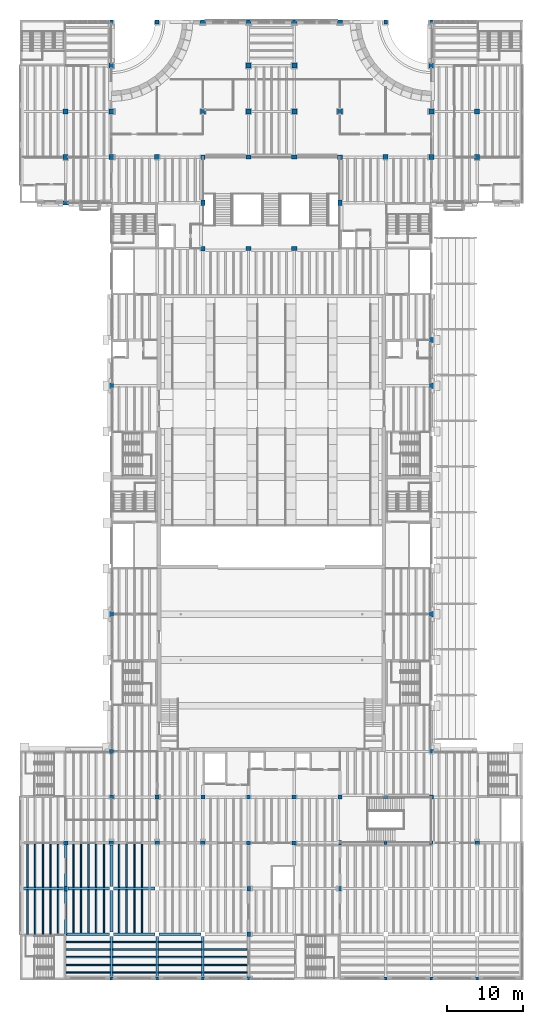
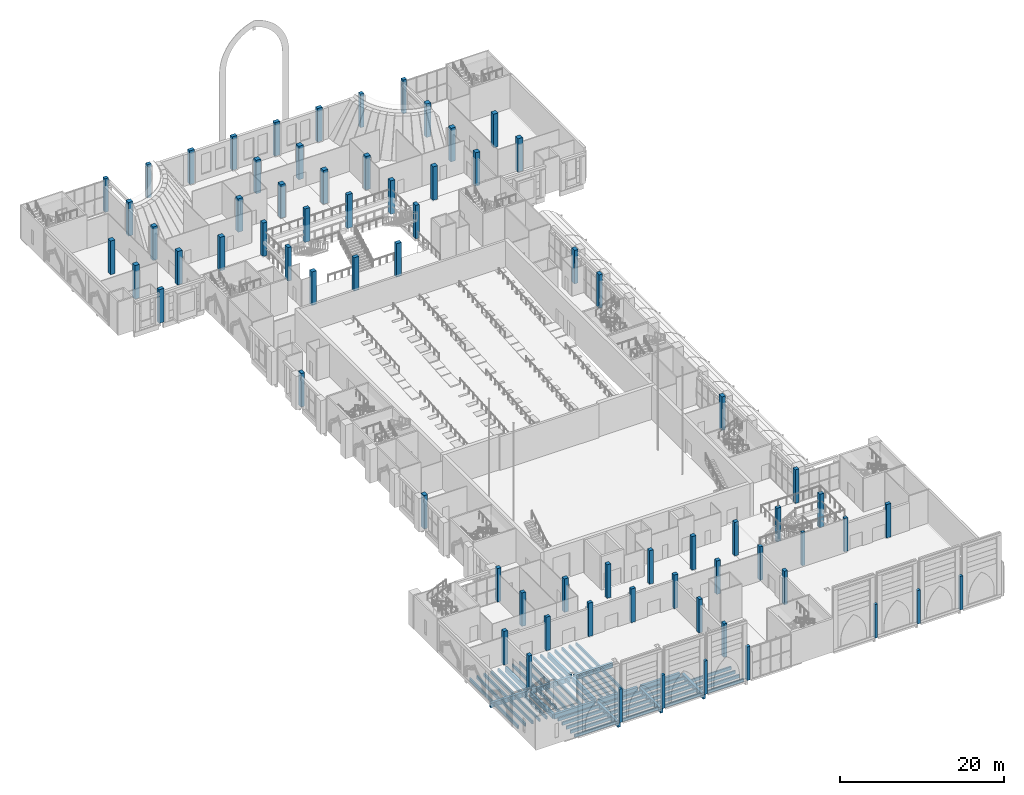
# One storey, part 1 of 80: 72 columns, 60 beams.
"""IFC4 building model written with IfcOpenShell, lengths in metres."""

from ifc_helpers import new_model, si_unit, direction, frame, origin, origin_2d, place, context, subcontext, project, spatial, rectangle, extrude, material, material_profile, profile_set, type_object, element, save


model = new_model("IFC4")

# Units and contexts
model_context = context("Model", 3, precision=1e-05, world=origin(), true_north=direction((0.0, 1.0)))
body_context = subcontext(model_context, "Body", "Model", "MODEL_VIEW")
ifc_project = project(units=[si_unit("LENGTHUNIT", "METRE"), si_unit("AREAUNIT", "SQUARE_METRE"), si_unit("VOLUMEUNIT", "CUBIC_METRE"), si_unit("PLANEANGLEUNIT", "RADIAN"), si_unit("MASSUNIT", "GRAM", prefix="KILO")], contexts=[model_context])

# Site, building, storey
site_placement = place(None, origin())
site = spatial("IfcSite", under=ifc_project, at=site_placement, CompositionType="ELEMENT")
building_placement = place(site_placement, origin())
building = spatial("IfcBuilding", under=site, at=building_placement, Name="Saffron Lane Theatres", CompositionType="ELEMENT")
storey_placement = place(building_placement, frame((0.0, 0.0, 7.0)))
storey = spatial("IfcBuildingStorey", under=building, at=storey_placement, Name="L01", CompositionType="ELEMENT", Elevation=7.0)

# Columns
ifc_material_1 = material(Name="Concrete N50 (50 MPa)", Category="concrete")
ifc_material_profile_1 = material_profile(ifc_material_1, rectangle(XDim=0.39990234375, YDim=0.39990234375, at=origin_2d()))
ifc_profile_set_1 = profile_set([ifc_material_profile_1], Name="Concrete N50 (50 MPa)")
column_type_1 = type_object("IfcColumnType", Name="RC-COL 400x400", PredefinedType="COLUMN", material=ifc_profile_set_1)
for number, where, z_axis, x_axis, name in (
    (1, (12.0, 0.2255859375, 0.0), (0.0, 0.0, 1.0), (1.0, 0.0, 0.0), "col-L01-C1"),
    (2, (18.0, 0.2255859375, 0.0), (0.0, 0.0, 1.0), (1.0, 0.0, 0.0), "col-L01-D1"),
    (3, (24.0, 0.2255859375, 0.0), (0.0, 0.0, 1.0), (1.0, 0.0, 0.0), "col-L01-E1"),
    (4, (48.0, 0.2255859375, 0.0), (0.0, 0.0, 1.0), (1.0, 0.0, 0.0), "col-L01-J1"),
    (5, (54.0, 0.2255859375, 0.0), (0.0, 0.0, 1.0), (1.0, 0.0, 0.0), "col-L01-K1"),
    (6, (60.0, 0.2255859375, 0.0), (0.0, 0.0, 1.0), (1.0, 0.0, 0.0), "col-L01-L1"),
    (7, (48.0, 18.0, 0.0), (0.0, 0.0, 1.0), (1.0, 0.0, 0.0), "col-L01-J4"),
):
    element("IfcColumn", number, at=place(storey_placement, frame(where, z_axis=z_axis, x_axis=x_axis)), inside=storey, type_object=column_type_1, Name=name, PredefinedType="COLUMN", context=body_context, shape_type="SweptSolid", body=[
        extrude(rectangle(XDim=0.39990234375, YDim=0.39990234375, at=origin_2d()), origin(), (0.0, 0.0, 1.0), 5.0),
    ])
ifc_material_2 = material(Name="Concrete N50 (50 MPa)", Category="concrete")
ifc_material_profile_2 = material_profile(ifc_material_2, rectangle(XDim=0.449951171875, YDim=0.449951171875, at=origin_2d()))
ifc_profile_set_2 = profile_set([ifc_material_profile_2], Name="Concrete N50 (50 MPa)")
column_type_2 = type_object("IfcColumnType", Name="RC-COL 450x450", PredefinedType="COLUMN", material=ifc_profile_set_2)
for number, where, z_axis, x_axis, name in (
    (8, (30.0, 0.25048828125, 0.0), (0.0, 0.0, 1.0), (1.0, 0.0, 0.0), "col-L01-F1"),
    (9, (54.0, 18.0, 0.0), (0.0, 0.0, 1.0), (1.0, 0.0, 0.0), "col-L01-K4"),
):
    element("IfcColumn", number, at=place(storey_placement, frame(where, z_axis=z_axis, x_axis=x_axis)), inside=storey, type_object=column_type_2, Name=name, PredefinedType="COLUMN", context=body_context, shape_type="SweptSolid", body=[
        extrude(rectangle(XDim=0.449951171875, YDim=0.449951171875, at=origin_2d()), origin(), (0.0, 0.0, 1.0), 5.0),
    ])
ifc_material_3 = material(Name="Concrete N50 (50 MPa)", Category="concrete")
ifc_material_profile_3 = material_profile(ifc_material_3, rectangle(XDim=0.449951171875, YDim=0.60009765625, at=origin_2d()))
ifc_profile_set_3 = profile_set([ifc_material_profile_3], Name="Concrete N50 (50 MPa)")
column_type_3 = type_object("IfcColumnType", Name="RC-COL 450x600", PredefinedType="COLUMN", material=ifc_profile_set_3)
for number, where, z_axis, x_axis, name in (
    (10, (30.0, 6.0, 0.0), (0.0, 0.0, 1.0), (1.0, 0.0, 0.0), "col-L01-F2"),
    (11, (6.0, 12.0, 0.0), (0.0, 0.0, 1.0), (1.0, 0.0, 0.0), "col-L01-B3"),
    (12, (30.0, 12.0, 0.0), (0.0, 0.0, 1.0), (1.0, 0.0, 0.0), "col-L01-F3"),
    (13, (42.0, 12.0, 0.0), (0.0, 0.0, 1.0), (1.0, 0.0, 0.0), "col-L01-H3"),
    (14, (42.0, 18.0, 0.0), (0.0, 0.0, 1.0), (1.0, 0.0, 0.0), "col-L01-H4"),
):
    element("IfcColumn", number, at=place(storey_placement, frame(where, z_axis=z_axis, x_axis=x_axis)), inside=storey, type_object=column_type_3, Name=name, PredefinedType="COLUMN", context=body_context, shape_type="SweptSolid", body=[
        extrude(rectangle(XDim=0.449951171875, YDim=0.60009765625, at=origin_2d()), origin(), (0.0, 0.0, 1.0), 5.0),
    ])
ifc_material_4 = material(Name="Concrete N50 (50 MPa)", Category="concrete")
ifc_material_profile_4 = material_profile(ifc_material_4, rectangle(XDim=0.5, YDim=0.5, at=origin_2d()))
ifc_profile_set_4 = profile_set([ifc_material_profile_4], Name="Concrete N50 (50 MPa)")
column_type_4 = type_object("IfcColumnType", Name="RC-COL 500x500", PredefinedType="COLUMN", material=ifc_profile_set_4)
for number, where, z_axis, x_axis, name in (
    (15, (12.0, 125.74951171875, 0.0), (0.0, 0.0, 1.0), (1.0, 0.0, 0.0), "col-L01-C22"),
    (16, (18.0, 125.74951171875, 0.0), (0.0, 0.0, 1.0), (1.0, 0.0, 0.0), "col-L01-D22"),
    (17, (48.0, 125.74951171875, 0.0), (0.0, 0.0, 1.0), (1.0, 0.0, 0.0), "col-L01-J22"),
    (18, (54.0, 125.74951171875, 0.0), (0.0, 0.0, 1.0), (1.0, 0.0, 0.0), "col-L01-K22"),
):
    element("IfcColumn", number, at=place(storey_placement, frame(where, z_axis=z_axis, x_axis=x_axis)), inside=storey, type_object=column_type_4, Name=name, PredefinedType="COLUMN", context=body_context, shape_type="SweptSolid", body=[
        extrude(rectangle(XDim=0.5, YDim=0.5, at=origin_2d()), origin(), (0.0, 0.0, 1.0), 5.0),
    ])
ifc_material_5 = material(Name="Concrete N50 (50 MPa)", Category="concrete")
ifc_material_profile_5 = material_profile(ifc_material_5, rectangle(XDim=0.5, YDim=0.699951171875, at=origin_2d()))
ifc_profile_set_5 = profile_set([ifc_material_profile_5], Name="Concrete N50 (50 MPa)")
column_type_5 = type_object("IfcColumnType", Name="RC-COL 500x700", PredefinedType="COLUMN", material=ifc_profile_set_5)
for number, where, z_axis, x_axis, name in (
    (19, (12.0, 48.0, 0.0), (0.0, 0.0, 1.0), (1.0, 0.0, 0.0), "col-L01-C9"),
    (20, (54.0, 48.0, 0.0), (0.0, 0.0, 1.0), (1.0, 0.0, 0.0), "col-L01-K9"),
    (21, (12.0, 78.0, 0.0), (0.0, 0.0, 1.0), (1.0, 0.0, 0.0), "col-L01-C14"),
    (22, (54.0, 78.0, 0.0), (0.0, 0.0, 1.0), (1.0, 0.0, 0.0), "col-L01-K14"),
    (23, (54.0, 84.0, 0.0), (0.0, 0.0, 1.0), (1.0, 0.0, 0.0), "col-L01-K15"),
    (24, (24.0, 102.0, 0.0), (0.0, 0.0, 1.0), (1.0, 0.0, 0.0), "col-L01-E18"),
    (25, (42.0, 102.0, 0.0), (0.0, 0.0, 1.0), (1.0, 0.0, 0.0), "col-L01-H18"),
):
    element("IfcColumn", number, at=place(storey_placement, frame(where, z_axis=z_axis, x_axis=x_axis)), inside=storey, type_object=column_type_5, Name=name, PredefinedType="COLUMN", context=body_context, shape_type="SweptSolid", body=[
        extrude(rectangle(XDim=0.5, YDim=0.699951171875, at=origin_2d()), origin(), (0.0, 0.0, 1.0), 5.0),
    ])
ifc_material_6 = material(Name="Concrete N50 (50 MPa)", Category="concrete")
ifc_material_profile_6 = material_profile(ifc_material_6, rectangle(XDim=0.550048828125, YDim=0.550048828125, at=origin_2d()))
ifc_profile_set_6 = profile_set([ifc_material_profile_6], Name="Concrete N50 (50 MPa)")
column_type_6 = type_object("IfcColumnType", Name="RC-COL 550x550", PredefinedType="COLUMN", material=ifc_profile_set_6)
for number, where, z_axis, x_axis, name in (
    (26, (6.0, 18.0, 0.0), (0.0, 0.0, 1.0), (1.0, 0.0, 0.0), "col-L01-B4"),
    (27, (30.0, 18.0, 0.0), (0.0, 0.0, 1.0), (1.0, 0.0, 0.0), "col-L01-F4"),
    (28, (36.0, 18.0, 0.0), (0.0, 0.0, 1.0), (1.0, 0.0, 0.0), "col-L01-G4"),
    (29, (12.0, 24.0, 0.0), (0.0, 0.0, 1.0), (1.0, 0.0, 0.0), "col-L01-C5"),
    (30, (18.0, 24.0, 0.0), (0.0, 0.0, 1.0), (1.0, 0.0, 0.0), "col-L01-D5"),
    (31, (24.0, 24.0, 0.0), (0.0, 0.0, 1.0), (1.0, 0.0, 0.0), "col-L01-E5"),
    (32, (30.0, 24.0, 0.0), (0.0, 0.0, 1.0), (1.0, 0.0, 0.0), "col-L01-F5"),
    (33, (36.0, 24.0, 0.0), (0.0, 0.0, 1.0), (1.0, 0.0, 0.0), "col-L01-G5"),
    (34, (42.0, 24.0, 0.0), (0.0, 0.0, 1.0), (1.0, 0.0, 0.0), "col-L01-H5"),
    (35, (54.0, 24.0, 0.0), (0.0, 0.0, 1.0), (1.0, 0.0, 0.0), "col-L01-K5"),
    (36, (12.0, 30.0, 0.0), (0.0, 0.0, 1.0), (1.0, 0.0, 0.0), "col-L01-C6"),
    (37, (54.0, 30.0, 0.0), (0.0, 0.0, 1.0), (1.0, 0.0, 0.0), "col-L01-K6"),
):
    element("IfcColumn", number, at=place(storey_placement, frame(where, z_axis=z_axis, x_axis=x_axis)), inside=storey, type_object=column_type_6, Name=name, PredefinedType="COLUMN", context=body_context, shape_type="SweptSolid", body=[
        extrude(rectangle(XDim=0.550048828125, YDim=0.550048828125, at=origin_2d()), origin(), (0.0, 0.0, 1.0), 5.0),
    ])
ifc_material_7 = material(Name="Concrete N50 (50 MPa)", Category="concrete")
ifc_material_profile_7 = material_profile(ifc_material_7, rectangle(XDim=0.60009765625, YDim=0.449951171875, at=origin_2d()))
ifc_profile_set_7 = profile_set([ifc_material_profile_7], Name="Concrete N50 (50 MPa)")
column_type_7 = type_object("IfcColumnType", Name="RC-COL 600x450", PredefinedType="COLUMN", material=ifc_profile_set_7)
for number, where, z_axis, x_axis, name in (
    (38, (12.0, 18.0, 0.0), (0.0, 0.0, 1.0), (1.0, 0.0, 0.0), "col-L01-C4"),
    (39, (18.0, 18.0, 0.0), (0.0, 0.0, 1.0), (1.0, 0.0, 0.0), "col-L01-D4"),
    (40, (24.0, 18.0, 0.0), (0.0, 0.0, 1.0), (1.0, 0.0, 0.0), "col-L01-E4"),
    (41, (60.0, 18.0, 0.0), (0.0, 0.0, 1.0), (1.0, 0.0, 0.0), "col-L01-L4"),
    (42, (48.0, 24.0, 0.0), (0.0, 0.0, 1.0), (1.0, 0.0, 0.0), "col-L01-J5"),
):
    element("IfcColumn", number, at=place(storey_placement, frame(where, z_axis=z_axis, x_axis=x_axis)), inside=storey, type_object=column_type_7, Name=name, PredefinedType="COLUMN", context=body_context, shape_type="SweptSolid", body=[
        extrude(rectangle(XDim=0.60009765625, YDim=0.449951171875, at=origin_2d()), origin(), (0.0, 0.0, 1.0), 5.0),
    ])
ifc_material_8 = material(Name="Concrete N50 (50 MPa)", Category="concrete")
ifc_material_profile_8 = material_profile(ifc_material_8, rectangle(XDim=0.60009765625, YDim=0.60009765625, at=origin_2d()))
ifc_profile_set_8 = profile_set([ifc_material_profile_8], Name="Concrete N50 (50 MPa)")
column_type_8 = type_object("IfcColumnType", Name="RC-COL 600x600", PredefinedType="COLUMN", material=ifc_profile_set_8)
for number, where, z_axis, x_axis, name in (
    (43, (24.0, 96.0, 0.0), (0.0, 0.0, 1.0), (1.0, 0.0, 0.0), "col-L01-E17"),
    (44, (24.0, 108.0, 0.0), (0.0, 0.0, 1.0), (1.0, 0.0, 0.0), "col-L01-E19"),
    (45, (42.0, 108.0, 0.0), (0.0, 0.0, 1.0), (1.0, 0.0, 0.0), "col-L01-H19"),
):
    element("IfcColumn", number, at=place(storey_placement, frame(where, z_axis=z_axis, x_axis=x_axis)), inside=storey, type_object=column_type_8, Name=name, PredefinedType="COLUMN", context=body_context, shape_type="SweptSolid", body=[
        extrude(rectangle(XDim=0.60009765625, YDim=0.60009765625, at=origin_2d()), origin(), (0.0, 0.0, 1.0), 5.0),
    ])
ifc_material_9 = material(Name="Concrete N50 (50 MPa)", Category="concrete")
ifc_material_profile_9 = material_profile(ifc_material_9, rectangle(XDim=0.64990234375, YDim=0.64990234375, at=origin_2d()))
ifc_profile_set_9 = profile_set([ifc_material_profile_9], Name="Concrete N50 (50 MPa)")
column_type_9 = type_object("IfcColumnType", Name="RC-COL 650x650", PredefinedType="COLUMN", material=ifc_profile_set_9)
for number, where, z_axis, x_axis, name in (
    (46, (6.0, 108.0, 0.0), (0.0, 0.0, 1.0), (1.0, 0.0, 0.0), "col-L01-B19"),
    (47, (12.0, 108.0, 0.0), (0.0, 0.0, 1.0), (1.0, 0.0, 0.0), "col-L01-C19"),
    (48, (18.0, 108.0, 0.0), (0.0, 0.0, 1.0), (1.0, 0.0, 0.0), "col-L01-D19"),
    (49, (48.0, 108.0, 0.0), (0.0, 0.0, 1.0), (1.0, 0.0, 0.0), "col-L01-J19"),
    (50, (54.0, 108.0, 0.0), (0.0, 0.0, 1.0), (1.0, 0.0, 0.0), "col-L01-K19"),
    (51, (60.0, 108.0, 0.0), (0.0, 0.0, 1.0), (1.0, 0.0, 0.0), "col-L01-L19"),
    (52, (6.0, 114.0, 0.0), (0.0, 0.0, 1.0), (1.0, 0.0, 0.0), "col-L01-B20"),
    (53, (12.0, 114.0, 0.0), (0.0, 0.0, 1.0), (1.0, 0.0, 0.0), "col-L01-C20"),
    (54, (24.0, 114.0, 0.0), (0.0, 0.0, 1.0), (1.0, 0.0, 0.0), "col-L01-E20"),
    (55, (30.0, 114.0, 0.0), (0.0, 0.0, 1.0), (1.0, 0.0, 0.0), "col-L01-F20"),
    (56, (36.0, 114.0, 0.0), (0.0, 0.0, 1.0), (1.0, 0.0, 0.0), "col-L01-G20"),
    (57, (42.0, 114.0, 0.0), (0.0, 0.0, 1.0), (1.0, 0.0, 0.0), "col-L01-H20"),
    (58, (54.0, 114.0, 0.0), (0.0, 0.0, 1.0), (1.0, 0.0, 0.0), "col-L01-K20"),
    (59, (60.0, 114.0, 0.0), (0.0, 0.0, 1.0), (1.0, 0.0, 0.0), "col-L01-L20"),
    (60, (12.0, 120.0, 0.0), (0.0, 0.0, 1.0), (1.0, 0.0, 0.0), "col-L01-C21"),
    (61, (30.0, 120.0, 0.0), (0.0, 0.0, 1.0), (1.0, 0.0, 0.0), "col-L01-F21"),
    (62, (36.0, 120.0, 0.0), (0.0, 0.0, 1.0), (1.0, 0.0, 0.0), "col-L01-G21"),
    (63, (54.0, 120.0, 0.0), (0.0, 0.0, 1.0), (1.0, 0.0, 0.0), "col-L01-K21"),
):
    element("IfcColumn", number, at=place(storey_placement, frame(where, z_axis=z_axis, x_axis=x_axis)), inside=storey, type_object=column_type_9, Name=name, PredefinedType="COLUMN", context=body_context, shape_type="SweptSolid", body=[
        extrude(rectangle(XDim=0.64990234375, YDim=0.64990234375, at=origin_2d()), origin(), (0.0, 0.0, 1.0), 5.0),
    ])
ifc_material_10 = material(Name="Concrete N50 (50 MPa)", Category="concrete")
ifc_material_profile_10 = material_profile(ifc_material_10, rectangle(XDim=0.699951171875, YDim=0.5, at=origin_2d()))
ifc_profile_set_10 = profile_set([ifc_material_profile_10], Name="Concrete N50 (50 MPa)")
column_type_10 = type_object("IfcColumnType", Name="RC-COL 700x500", PredefinedType="COLUMN", material=ifc_profile_set_10)
for number, where, z_axis, x_axis, name in (
    (64, (30.0, 96.0, 0.0), (0.0, 0.0, 1.0), (1.0, 0.0, 0.0), "col-L01-F17"),
    (65, (36.0, 96.0, 0.0), (0.0, 0.0, 1.0), (1.0, 0.0, 0.0), "col-L01-G17"),
    (66, (6.0, 102.0, 0.0), (0.0, 0.0, 1.0), (1.0, 0.0, 0.0), "col-L01-B18"),
    (67, (30.0, 108.0, 0.0), (0.0, 0.0, 1.0), (1.0, 0.0, 0.0), "col-L01-F19"),
    (68, (36.0, 108.0, 0.0), (0.0, 0.0, 1.0), (1.0, 0.0, 0.0), "col-L01-G19"),
    (69, (24.0, 125.724609375, 0.0), (0.0, 0.0, 1.0), (1.0, 0.0, 0.0), "col-L01-E22"),
    (70, (30.0, 125.724609375, 0.0), (0.0, 0.0, 1.0), (1.0, 0.0, 0.0), "col-L01-F22"),
    (71, (36.0, 125.724609375, 0.0), (0.0, 0.0, 1.0), (1.0, 0.0, 0.0), "col-L01-G22"),
    (72, (42.0, 125.724609375, 0.0), (0.0, 0.0, 1.0), (1.0, 0.0, 0.0), "col-L01-H22"),
):
    element("IfcColumn", number, at=place(storey_placement, frame(where, z_axis=z_axis, x_axis=x_axis)), inside=storey, type_object=column_type_10, Name=name, PredefinedType="COLUMN", context=body_context, shape_type="SweptSolid", body=[
        extrude(rectangle(XDim=0.699951171875, YDim=0.5, at=origin_2d()), origin(), (0.0, 0.0, 1.0), 5.0),
    ])

# Beams
ifc_material_11 = material(Name="Concrete N40 (40 MPa)", Category="concrete")
ifc_material_profile_11 = material_profile(ifc_material_11, rectangle(XDim=0.35009765625, YDim=0.699951171875, at=origin_2d()))
ifc_profile_set_11 = profile_set([ifc_material_profile_11], Name="Concrete N40 (40 MPa)")
beam_type_1 = type_object("IfcBeamType", Name="RC-BEAM 350x700", PredefinedType="BEAM", material=ifc_profile_set_11)
beam_1_placement = place(storey_placement, frame((6.0, 6.0, -0.60009765625), z_axis=(1.0, 0.0, 0.0), x_axis=(0.0, 1.0, 0.0)))
element("IfcBeam", 73, at=beam_1_placement, inside=storey, type_object=beam_type_1, Name="beam-L01-x60-60", PredefinedType="BEAM", context=body_context, shape_type="SweptSolid", body=[
    extrude(rectangle(XDim=0.35009765625, YDim=0.699951171875, at=origin_2d()), origin(), (0.0, 0.0, 1.0), 5.72509765625),
])
for number, where, z_axis, x_axis, name in (
    (74, (12.27490234375, 6.0, -0.60009765625), (1.0, 0.0, 0.0), (0.0, 1.0, 0.0), "beam-L01-x60-123"),
    (75, (18.27490234375, 6.0, -0.60009765625), (1.0, 0.0, 0.0), (0.0, 1.0, 0.0), "beam-L01-x60-183"),
):
    element("IfcBeam", number, at=place(storey_placement, frame(where, z_axis=z_axis, x_axis=x_axis)), inside=storey, type_object=beam_type_1, Name=name, PredefinedType="BEAM", context=body_context, shape_type="SweptSolid", body=[
        extrude(rectangle(XDim=0.35009765625, YDim=0.699951171875, at=origin_2d()), origin(), (0.0, 0.0, 1.0), 5.4501953125),
    ])
beam_2_placement = place(storey_placement, frame((0.4599609375, 12.0, -0.60009765625), z_axis=(1.0, 0.0, 0.0), x_axis=(0.0, 1.0, 0.0)))
element("IfcBeam", 76, at=beam_2_placement, inside=storey, type_object=beam_type_1, Name="beam-L01-x120-5", PredefinedType="BEAM", context=body_context, shape_type="SweptSolid", body=[
    extrude(rectangle(XDim=0.35009765625, YDim=0.699951171875, at=origin_2d()), origin(), (0.0, 0.0, 1.0), 5.239990234375),
])
beam_3_placement = place(storey_placement, frame((6.300048828125, 12.0, -0.60009765625), z_axis=(1.0, 0.0, 0.0), x_axis=(0.0, 1.0, 0.0)))
element("IfcBeam", 77, at=beam_3_placement, inside=storey, type_object=beam_type_1, Name="beam-L01-x120-63", PredefinedType="BEAM", context=body_context, shape_type="SweptSolid", body=[
    extrude(rectangle(XDim=0.35009765625, YDim=0.699951171875, at=origin_2d()), origin(), (0.0, 0.0, 1.0), 5.425048828125),
])
beam_4_placement = place(storey_placement, frame((12.27490234375, 12.0, -0.60009765625), z_axis=(1.0, 0.0, 0.0), x_axis=(0.0, 1.0, 0.0)))
element("IfcBeam", 78, at=beam_4_placement, inside=storey, type_object=beam_type_1, Name="beam-L01-x120-123", PredefinedType="BEAM", context=body_context, shape_type="SweptSolid", body=[
    extrude(rectangle(XDim=0.35009765625, YDim=0.699951171875, at=origin_2d()), origin(), (0.0, 0.0, 1.0), 5.4501953125),
])
beam_5_placement = place(storey_placement, frame((6.0, 6.0, -0.60009765625), z_axis=(0.0, 1.0, 0.0), x_axis=(-1.0, 0.0, 0.0)))
element("IfcBeam", 79, at=beam_5_placement, inside=storey, type_object=beam_type_1, Name="beam-L01-y60-60", PredefinedType="BEAM", context=body_context, shape_type="SweptSolid", body=[
    extrude(rectangle(XDim=0.35009765625, YDim=0.699951171875, at=origin_2d()), origin(), (0.0, 0.0, 1.0), 5.699951171875),
])
beam_6_placement = place(storey_placement, frame((6.0, 12.300048828125, -0.60009765625), z_axis=(0.0, 1.0, 0.0), x_axis=(-1.0, 0.0, 0.0)))
element("IfcBeam", 80, at=beam_6_placement, inside=storey, type_object=beam_type_1, Name="beam-L01-y60-123", PredefinedType="BEAM", context=body_context, shape_type="SweptSolid", body=[
    extrude(rectangle(XDim=0.35009765625, YDim=0.699951171875, at=origin_2d()), origin(), (0.0, 0.0, 1.0), 5.375),
])
beam_7_placement = place(storey_placement, frame((12.0, 0.450439453125, -0.60009765625), z_axis=(0.0, 1.0, 0.0), x_axis=(-1.0, 0.0, 0.0)))
element("IfcBeam", 81, at=beam_7_placement, inside=storey, type_object=beam_type_1, Name="beam-L01-y120-5", PredefinedType="BEAM", context=body_context, shape_type="SweptSolid", body=[
    extrude(rectangle(XDim=0.35009765625, YDim=0.699951171875, at=origin_2d()), origin(), (0.0, 0.0, 1.0), 5.274658203125),
])
beam_8_placement = place(storey_placement, frame((12.0, 6.27490234375, -0.60009765625), z_axis=(0.0, 1.0, 0.0), x_axis=(-1.0, 0.0, 0.0)))
element("IfcBeam", 82, at=beam_8_placement, inside=storey, type_object=beam_type_1, Name="beam-L01-y120-63", PredefinedType="BEAM", context=body_context, shape_type="SweptSolid", body=[
    extrude(rectangle(XDim=0.35009765625, YDim=0.699951171875, at=origin_2d()), origin(), (0.0, 0.0, 1.0), 5.4501953125),
])
beam_9_placement = place(storey_placement, frame((12.0, 12.27490234375, -0.60009765625), z_axis=(0.0, 1.0, 0.0), x_axis=(-1.0, 0.0, 0.0)))
element("IfcBeam", 83, at=beam_9_placement, inside=storey, type_object=beam_type_1, Name="beam-L01-y120-123", PredefinedType="BEAM", context=body_context, shape_type="SweptSolid", body=[
    extrude(rectangle(XDim=0.35009765625, YDim=0.699951171875, at=origin_2d()), origin(), (0.0, 0.0, 1.0), 5.425048828125),
])
for number, where, z_axis, x_axis, name in (
    (84, (18.0, 0.450439453125, -0.60009765625), (0.0, 1.0, 0.0), (-1.0, 0.0, 0.0), "beam-L01-y180-5"),
    (85, (24.0, 0.450439453125, -0.60009765625), (0.0, 1.0, 0.0), (-1.0, 0.0, 0.0), "beam-L01-y240-5"),
):
    element("IfcBeam", number, at=place(storey_placement, frame(where, z_axis=z_axis, x_axis=x_axis)), inside=storey, type_object=beam_type_1, Name=name, PredefinedType="BEAM", context=body_context, shape_type="SweptSolid", body=[
        extrude(rectangle(XDim=0.35009765625, YDim=0.699951171875, at=origin_2d()), origin(), (0.0, 0.0, 1.0), 5.274658203125),
    ])
ifc_material_12 = material(Name="Concrete N40 (40 MPa)", Category="concrete")
ifc_material_profile_12 = material_profile(ifc_material_12, rectangle(XDim=0.199951171875, YDim=0.449951171875, at=origin_2d()))
ifc_profile_set_12 = profile_set([ifc_material_profile_12], Name="Concrete N40 (40 MPa)")
beam_type_2 = type_object("IfcBeamType", Name="RC-JOIST 200x450", PredefinedType="JOIST", material=ifc_profile_set_12)
for number, where, z_axis, x_axis, name in (
    (86, (1.0, 6.0, -0.47509765625), (0.0, 1.0, 0.0), (-1.0, 0.0, 0.0), "joist-L01-y100-60"),
    (87, (2.0, 6.0, -0.47509765625), (0.0, 1.0, 0.0), (-1.0, 0.0, 0.0), "joist-L01-y200-60"),
    (88, (3.0, 6.0, -0.47509765625), (0.0, 1.0, 0.0), (-1.0, 0.0, 0.0), "joist-L01-y300-60"),
    (89, (4.0, 6.0, -0.47509765625), (0.0, 1.0, 0.0), (-1.0, 0.0, 0.0), "joist-L01-y400-60"),
    (90, (5.0, 6.0, -0.47509765625), (0.0, 1.0, 0.0), (-1.0, 0.0, 0.0), "joist-L01-y500-60"),
):
    element("IfcBeam", number, at=place(storey_placement, frame(where, z_axis=z_axis, x_axis=x_axis)), inside=storey, type_object=beam_type_2, Name=name, PredefinedType="JOIST", context=body_context, shape_type="SweptSolid", body=[
        extrude(rectangle(XDim=0.199951171875, YDim=0.449951171875, at=origin_2d()), origin(), (0.0, 0.0, 1.0), 5.824951171875),
    ])
for number, where, z_axis, x_axis, name in (
    (91, (1.0, 12.175048828125, -0.47509765625), (0.0, 1.0, 0.0), (-1.0, 0.0, 0.0), "joist-L01-y100-122"),
    (92, (2.0, 12.175048828125, -0.47509765625), (0.0, 1.0, 0.0), (-1.0, 0.0, 0.0), "joist-L01-y200-122"),
    (93, (3.0, 12.175048828125, -0.47509765625), (0.0, 1.0, 0.0), (-1.0, 0.0, 0.0), "joist-L01-y300-122"),
    (94, (4.0, 12.175048828125, -0.47509765625), (0.0, 1.0, 0.0), (-1.0, 0.0, 0.0), "joist-L01-y400-122"),
    (95, (5.0, 12.175048828125, -0.47509765625), (0.0, 1.0, 0.0), (-1.0, 0.0, 0.0), "joist-L01-y500-122"),
):
    element("IfcBeam", number, at=place(storey_placement, frame(where, z_axis=z_axis, x_axis=x_axis)), inside=storey, type_object=beam_type_2, Name=name, PredefinedType="JOIST", context=body_context, shape_type="SweptSolid", body=[
        extrude(rectangle(XDim=0.199951171875, YDim=0.449951171875, at=origin_2d()), origin(), (0.0, 0.0, 1.0), 5.64990234375),
    ])
for number, where, z_axis, x_axis, name in (
    (96, (6.0, 1.0, -0.47509765625), (1.0, 0.0, 0.0), (0.0, 1.0, 0.0), "joist-L01-x100-60"),
    (97, (6.0, 2.0, -0.47509765625), (1.0, 0.0, 0.0), (0.0, 1.0, 0.0), "joist-L01-x200-60"),
    (98, (6.0, 3.0, -0.47509765625), (1.0, 0.0, 0.0), (0.0, 1.0, 0.0), "joist-L01-x300-60"),
    (99, (6.0, 4.0, -0.47509765625), (1.0, 0.0, 0.0), (0.0, 1.0, 0.0), "joist-L01-x400-60"),
    (100, (6.0, 5.0, -0.47509765625), (1.0, 0.0, 0.0), (0.0, 1.0, 0.0), "joist-L01-x500-60"),
):
    element("IfcBeam", number, at=place(storey_placement, frame(where, z_axis=z_axis, x_axis=x_axis)), inside=storey, type_object=beam_type_2, Name=name, PredefinedType="JOIST", context=body_context, shape_type="SweptSolid", body=[
        extrude(rectangle(XDim=0.199951171875, YDim=0.449951171875, at=origin_2d()), origin(), (0.0, 0.0, 1.0), 5.824951171875),
    ])
for number, where, z_axis, x_axis, name in (
    (101, (7.0, 6.175048828125, -0.47509765625), (0.0, 1.0, 0.0), (-1.0, 0.0, 0.0), "joist-L01-y700-62"),
    (102, (8.0, 6.175048828125, -0.47509765625), (0.0, 1.0, 0.0), (-1.0, 0.0, 0.0), "joist-L01-y800-62"),
    (103, (9.0, 6.175048828125, -0.47509765625), (0.0, 1.0, 0.0), (-1.0, 0.0, 0.0), "joist-L01-y900-62"),
    (104, (10.0, 6.175048828125, -0.47509765625), (0.0, 1.0, 0.0), (-1.0, 0.0, 0.0), "joist-L01-y1000-62"),
    (105, (11.0, 6.175048828125, -0.47509765625), (0.0, 1.0, 0.0), (-1.0, 0.0, 0.0), "joist-L01-y1100-62"),
    (106, (7.0, 12.175048828125, -0.47509765625), (0.0, 1.0, 0.0), (-1.0, 0.0, 0.0), "joist-L01-y700-122"),
    (107, (8.0, 12.175048828125, -0.47509765625), (0.0, 1.0, 0.0), (-1.0, 0.0, 0.0), "joist-L01-y800-122"),
    (108, (9.0, 12.175048828125, -0.47509765625), (0.0, 1.0, 0.0), (-1.0, 0.0, 0.0), "joist-L01-y900-122"),
    (109, (10.0, 12.175048828125, -0.47509765625), (0.0, 1.0, 0.0), (-1.0, 0.0, 0.0), "joist-L01-y1000-122"),
    (110, (11.0, 12.175048828125, -0.47509765625), (0.0, 1.0, 0.0), (-1.0, 0.0, 0.0), "joist-L01-y1100-122"),
    (111, (12.175048828125, 1.0, -0.47509765625), (1.0, 0.0, 0.0), (0.0, 1.0, 0.0), "joist-L01-x100-122"),
    (112, (12.175048828125, 2.0, -0.47509765625), (1.0, 0.0, 0.0), (0.0, 1.0, 0.0), "joist-L01-x200-122"),
    (113, (12.175048828125, 3.0, -0.47509765625), (1.0, 0.0, 0.0), (0.0, 1.0, 0.0), "joist-L01-x300-122"),
    (114, (12.175048828125, 4.0, -0.47509765625), (1.0, 0.0, 0.0), (0.0, 1.0, 0.0), "joist-L01-x400-122"),
    (115, (12.175048828125, 5.0, -0.47509765625), (1.0, 0.0, 0.0), (0.0, 1.0, 0.0), "joist-L01-x500-122"),
    (116, (13.0, 6.175048828125, -0.47509765625), (0.0, 1.0, 0.0), (-1.0, 0.0, 0.0), "joist-L01-y1300-62"),
    (117, (14.0, 6.175048828125, -0.47509765625), (0.0, 1.0, 0.0), (-1.0, 0.0, 0.0), "joist-L01-y1400-62"),
    (118, (15.0, 6.175048828125, -0.47509765625), (0.0, 1.0, 0.0), (-1.0, 0.0, 0.0), "joist-L01-y1500-62"),
    (119, (16.0, 6.175048828125, -0.47509765625), (0.0, 1.0, 0.0), (-1.0, 0.0, 0.0), "joist-L01-y1600-62"),
    (120, (13.0, 12.175048828125, -0.47509765625), (0.0, 1.0, 0.0), (-1.0, 0.0, 0.0), "joist-L01-y1300-122"),
    (121, (14.0, 12.175048828125, -0.47509765625), (0.0, 1.0, 0.0), (-1.0, 0.0, 0.0), "joist-L01-y1400-122"),
    (122, (15.0, 12.175048828125, -0.47509765625), (0.0, 1.0, 0.0), (-1.0, 0.0, 0.0), "joist-L01-y1500-122"),
    (123, (16.0, 12.175048828125, -0.47509765625), (0.0, 1.0, 0.0), (-1.0, 0.0, 0.0), "joist-L01-y1600-122"),
    (124, (18.175048828125, 1.0, -0.47509765625), (1.0, 0.0, 0.0), (0.0, 1.0, 0.0), "joist-L01-x100-182"),
    (125, (18.175048828125, 2.0, -0.47509765625), (1.0, 0.0, 0.0), (0.0, 1.0, 0.0), "joist-L01-x200-182"),
    (126, (18.175048828125, 3.0, -0.47509765625), (1.0, 0.0, 0.0), (0.0, 1.0, 0.0), "joist-L01-x300-182"),
    (127, (18.175048828125, 4.0, -0.47509765625), (1.0, 0.0, 0.0), (0.0, 1.0, 0.0), "joist-L01-x400-182"),
    (128, (18.175048828125, 5.0, -0.47509765625), (1.0, 0.0, 0.0), (0.0, 1.0, 0.0), "joist-L01-x500-182"),
    (129, (24.175048828125, 1.0, -0.47509765625), (1.0, 0.0, 0.0), (0.0, 1.0, 0.0), "joist-L01-x100-242"),
    (130, (24.175048828125, 2.0, -0.47509765625), (1.0, 0.0, 0.0), (0.0, 1.0, 0.0), "joist-L01-x200-242"),
    (131, (24.175048828125, 3.0, -0.47509765625), (1.0, 0.0, 0.0), (0.0, 1.0, 0.0), "joist-L01-x300-242"),
    (132, (24.175048828125, 4.0, -0.47509765625), (1.0, 0.0, 0.0), (0.0, 1.0, 0.0), "joist-L01-x400-242"),
):
    element("IfcBeam", number, at=place(storey_placement, frame(where, z_axis=z_axis, x_axis=x_axis)), inside=storey, type_object=beam_type_2, Name=name, PredefinedType="JOIST", context=body_context, shape_type="SweptSolid", body=[
        extrude(rectangle(XDim=0.199951171875, YDim=0.449951171875, at=origin_2d()), origin(), (0.0, 0.0, 1.0), 5.64990234375),
    ])

save(model, "model.ifc")
